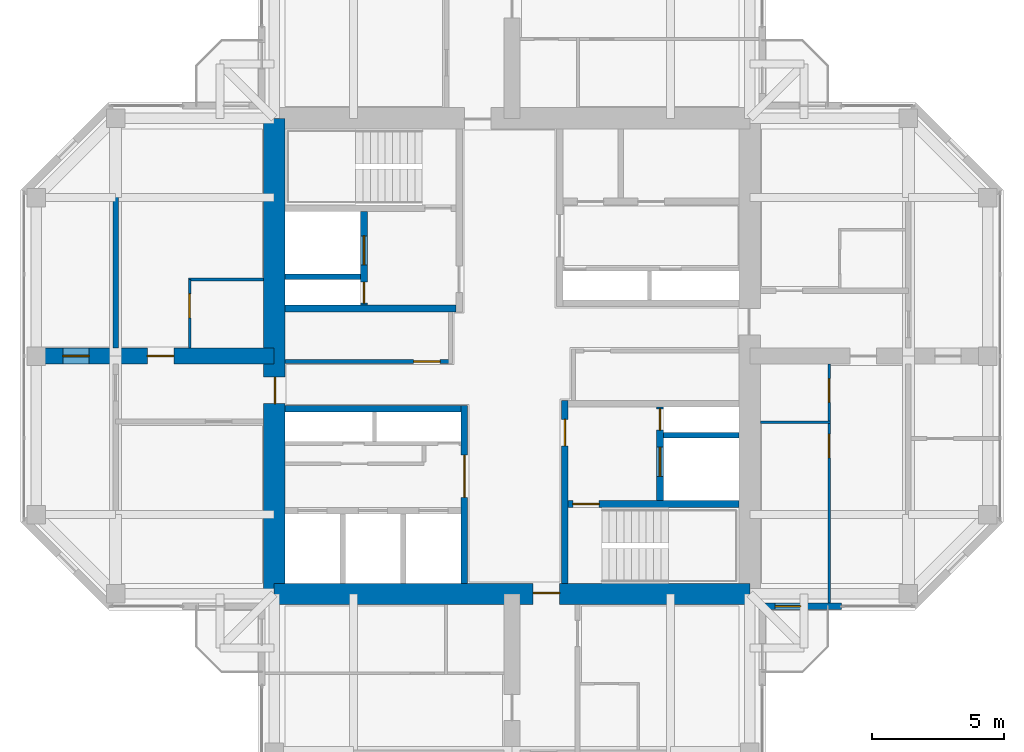
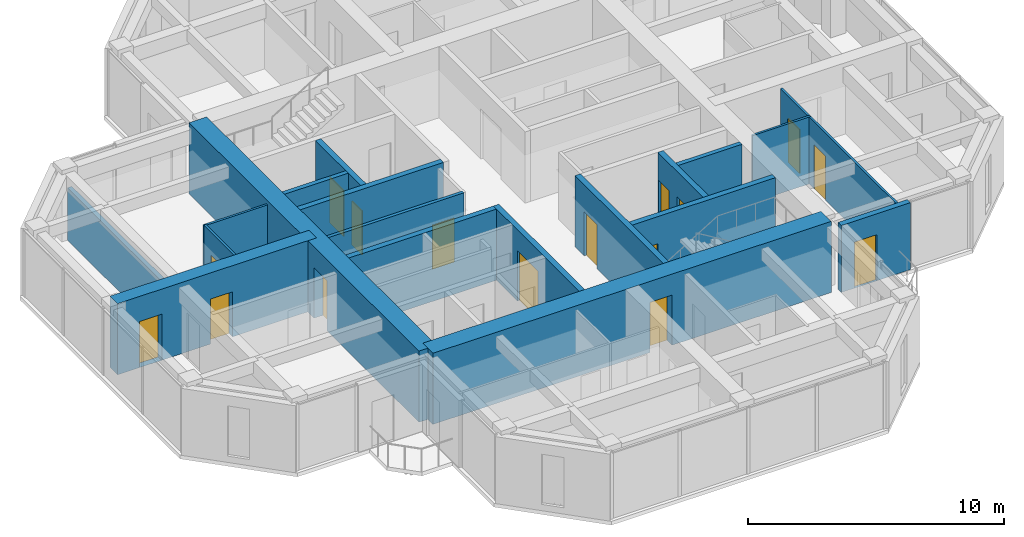
# One storey, part 9 of 13: 19 walls, 16 doors, 16 openings.
"""IFC4 building model written with IfcOpenShell, lengths in metres."""

from ifc_helpers import new_model, si_unit, direction, frame, frame_2d, origin, place, context, subcontext, project, spatial, rectangle, hollow_rectangle, extrude, material, layer, layer_set, constituent, constituent_set, type_object, element, fill, save


model = new_model("IFC4")

# Units and contexts
model_context = context("Model", 3, precision=1e-05, world=origin(), true_north=direction((0.0, 1.0)))
body_context = subcontext(model_context, "Body", "Model", "MODEL_VIEW")
ifc_project = project(units=[si_unit("LENGTHUNIT", "METRE"), si_unit("AREAUNIT", "SQUARE_METRE"), si_unit("VOLUMEUNIT", "CUBIC_METRE"), si_unit("PLANEANGLEUNIT", "RADIAN"), si_unit("MASSUNIT", "GRAM", prefix="KILO")], contexts=[model_context])

# Site, building, storey
site_placement = place(None, origin())
site = spatial("IfcSite", under=ifc_project, at=site_placement, CompositionType="ELEMENT")
building_placement = place(site_placement, origin())
building = spatial("IfcBuilding", under=site, at=building_placement, Name="Torre Cruceta", CompositionType="ELEMENT")
storey_placement = place(building_placement, frame((0.0, 0.0, 284.89990234375)))
storey = spatial("IfcBuildingStorey", under=building, at=storey_placement, Name="L74", CompositionType="ELEMENT", Elevation=284.89990234375)

# Wall
ifc_material_1 = material(Name="Water-resistant plasterboard on steel studs", Category="steel")
ifc_layer_1 = layer(ifc_material_1, 0.10009765625)
ifc_layer_set_1 = layer_set([ifc_layer_1], Name="Water-resistant plasterboard on steel studs")
wall_type_1 = type_object("IfcWallType", Name="BATHROOM WALL 100", PredefinedType="PARTITIONING", material=ifc_layer_set_1)
wall_1_placement = place(storey_placement, frame((9.39990234375, -2.5, 0.0), z_axis=(0.0, 0.0, 1.0), x_axis=(1.0, 0.0, 0.0)))
element("IfcWall", 1, at=wall_1_placement, inside=storey, type_object=wall_type_1, Name="PT4 L74-E-U1RBB", PredefinedType="PARTITIONING", context=body_context, shape_type="SweptSolid", body=[
    extrude(rectangle(XDim=2.650146484375, YDim=0.10009765625, at=frame_2d((1.3251953125, 0.0))), origin(), (0.0, 0.0, 1.0), 3.2001953125),
])

# Wall, openings, doors
wall_2_placement = place(storey_placement, frame((12.0, -9.344970703125, 0.0), z_axis=(0.0, 0.0, 1.0), x_axis=(0.0, 1.0, 0.0)))
wall_2 = element("IfcWall", 2, at=wall_2_placement, inside=storey, type_object=wall_type_1, Name="PT4 L74-E-U1RBS", PredefinedType="PARTITIONING", context=body_context, shape_type="SweptSolid", body=[
    extrude(rectangle(XDim=9.044921875, YDim=0.10009765625, at=frame_2d((4.5224609375, 0.0))), origin(), (0.0, 0.0, 1.0), 3.2001953125),
])
opening_1_placement = place(wall_2_placement, frame((5.4951171875, 0.0, 0.0)))
opening_1 = element("IfcOpeningElement", 3, at=opening_1_placement, cuts=wall_2, Name="Opening D7", PredefinedType="OPENING", context=body_context, shape_type="SweptSolid", body=[
    extrude(rectangle(XDim=0.89990234375, YDim=2.10009765625, at=frame_2d((0.449951171875, 1.050048828125))), frame((0.0, 0.06005859375, 0.0), z_axis=(0.0, -1.0, 0.0), x_axis=(1.0, 0.0, 0.0)), (0.0, 0.0, 1.0), 0.1201171875),
])
opening_2_placement = place(wall_2_placement, frame((7.594970703125, 0.0, 0.0)))
opening_2 = element("IfcOpeningElement", 4, at=opening_2_placement, cuts=wall_2, Name="Opening D7", PredefinedType="OPENING", context=body_context, shape_type="SweptSolid", body=[
    extrude(rectangle(XDim=0.89990234375, YDim=2.10009765625, at=frame_2d((0.449951171875, 1.050048828125))), frame((0.0, 0.06005859375, 0.0), z_axis=(0.0, -1.0, 0.0), x_axis=(1.0, 0.0, 0.0)), (0.0, 0.0, 1.0), 0.1201171875),
])
ifc_material_2 = material(Name="Timber door", Category="wood")
door_type_1 = type_object("IfcDoorType", Name="BATHROOM DOOR 900X2100", OperationType="SINGLE_SWING_LEFT", PredefinedType="DOOR", material=ifc_material_2)
door_1_placement = place(opening_1_placement, origin())
door_1 = element("IfcDoor", 5, at=door_1_placement, inside=storey, type_object=door_type_1, Name="D7 L74-E-U1RBS-D1", OperationType="SINGLE_SWING_RIGHT", OverallHeight=2.10009765625, OverallWidth=0.89990234375, PredefinedType="DOOR", context=body_context, shape_type="SweptSolid", body=[
    extrude(rectangle(XDim=0.89990234375, YDim=2.10009765625, at=frame_2d((0.449951171875, 1.050048828125))), frame((0.0, 0.02490234375, 0.0), z_axis=(0.0, -1.0, 0.0), x_axis=(1.0, 0.0, 0.0)), (0.0, 0.0, 1.0), 0.050048828125),
])
fill(opening_1, door_1)
door_2_placement = place(opening_2_placement, origin())
door_2 = element("IfcDoor", 6, at=door_2_placement, inside=storey, type_object=door_type_1, Name="D7 L74-E-U1RBS-D2", OperationType="SINGLE_SWING_RIGHT", OverallHeight=2.10009765625, OverallWidth=0.89990234375, PredefinedType="DOOR", context=body_context, shape_type="SweptSolid", body=[
    extrude(rectangle(XDim=0.89990234375, YDim=2.10009765625, at=frame_2d((0.449951171875, 1.050048828125))), frame((0.0, 0.02490234375, 0.0), z_axis=(0.0, -1.0, 0.0), x_axis=(1.0, 0.0, 0.0)), (0.0, 0.0, 1.0), 0.050048828125),
])
fill(opening_2, door_2)

# Wall
wall_3_placement = place(storey_placement, frame((-9.39990234375, 2.89990234375, 0.0), z_axis=(0.0, 0.0, 1.0), x_axis=(-1.0, 0.0, 0.0)))
element("IfcWall", 7, at=wall_3_placement, inside=storey, type_object=wall_type_1, Name="PT4 L74-W-U1RBB", PredefinedType="PARTITIONING", context=body_context, shape_type="SweptSolid", body=[
    extrude(rectangle(XDim=2.85009765625, YDim=0.10009765625, at=frame_2d((1.425048828125, 0.0))), origin(), (0.0, 0.0, 1.0), 3.2001953125),
])

# Wall, opening, door
wall_4_placement = place(storey_placement, frame((-12.199951171875, 2.89990234375, 0.0), z_axis=(0.0, 0.0, 1.0), x_axis=(0.0, -1.0, 0.0)))
wall_4 = element("IfcWall", 8, at=wall_4_placement, inside=storey, type_object=wall_type_1, Name="PT4 L74-W-U1RBS", PredefinedType="PARTITIONING", context=body_context, shape_type="SweptSolid", body=[
    extrude(rectangle(XDim=2.599853515625, YDim=0.10009765625, at=frame_2d((1.2998046875, 0.0))), origin(), (0.0, 0.0, 1.0), 3.2001953125),
])
opening_3_placement = place(wall_4_placement, frame((0.550048828125, 0.0, 0.0)))
opening_3 = element("IfcOpeningElement", 9, at=opening_3_placement, cuts=wall_4, Name="Opening D7", PredefinedType="OPENING", context=body_context, shape_type="SweptSolid", body=[
    extrude(rectangle(XDim=0.89990234375, YDim=2.10009765625, at=frame_2d((0.449951171875, 1.050048828125))), frame((0.0, 0.06005859375, 0.0), z_axis=(0.0, -1.0, 0.0), x_axis=(1.0, 0.0, 0.0)), (0.0, 0.0, 1.0), 0.1201171875),
])
door_3_placement = place(opening_3_placement, origin())
door_3 = element("IfcDoor", 10, at=door_3_placement, inside=storey, type_object=door_type_1, Name="D7 L74-W-U1RBS-D1", OperationType="SINGLE_SWING_LEFT", OverallHeight=2.10009765625, OverallWidth=0.89990234375, PredefinedType="DOOR", context=body_context, shape_type="SweptSolid", body=[
    extrude(rectangle(XDim=0.89990234375, YDim=2.10009765625, at=frame_2d((0.449951171875, 1.050048828125))), frame((0.0, 0.02490234375, 0.0), z_axis=(0.0, -1.0, 0.0), x_axis=(1.0, 0.0, 0.0)), (0.0, 0.0, 1.0), 0.050048828125),
])
fill(opening_3, door_3)

# Wall
ifc_material_3 = material(Name="Concrete G60 (fck 60 MPa)", Category="concrete")
ifc_layer_2 = layer(ifc_material_3, 0.25)
ifc_layer_set_2 = layer_set([ifc_layer_2], Name="Concrete G60 (fck 60 MPa)")
wall_type_2 = type_object("IfcWallType", Name="CORE INNER WALL 250 G60", PredefinedType="SHEAR", material=ifc_layer_set_2)
wall_5_placement = place(storey_placement, frame((-2.125, 1.800048828125, 0.0), z_axis=(0.0, 0.0, 1.0), x_axis=(-1.0, 0.0, 0.0)))
element("IfcWall", 11, at=wall_5_placement, inside=storey, type_object=wall_type_2, Name="CW4 L74 NW-CV", PredefinedType="SHEAR", context=body_context, shape_type="SweptSolid", body=[
    extrude(rectangle(XDim=6.47509765625, YDim=0.25, at=frame_2d((3.237548828125, 0.0))), origin(), (0.0, 0.0, 1.0), 3.400146484375),
])

# Wall, openings, doors
wall_6_placement = place(storey_placement, frame((-5.60009765625, 1.925048828125, 0.0), z_axis=(0.0, 0.0, 1.0), x_axis=(0.0, 1.0, 0.0)))
wall_6 = element("IfcWall", 12, at=wall_6_placement, inside=storey, type_object=wall_type_2, Name="CW4 L74 NW-FU", PredefinedType="SHEAR", context=body_context, shape_type="SweptSolid", body=[
    extrude(rectangle(XDim=3.550048828125, YDim=0.25, at=frame_2d((1.77490234375, 0.0))), origin(), (0.0, 0.0, 1.0), 3.400146484375),
])
opening_4_placement = place(wall_6_placement, frame((1.52490234375, 0.0, 0.0)))
opening_4 = element("IfcOpeningElement", 13, at=opening_4_placement, cuts=wall_6, Name="Opening LD1", PredefinedType="OPENING", context=body_context, shape_type="SweptSolid", body=[
    extrude(rectangle(XDim=1.10009765625, YDim=2.199951171875, at=frame_2d((0.550048828125, 1.10009765625))), frame((0.0, 0.135009765625, 0.0), z_axis=(0.0, -1.0, 0.0), x_axis=(1.0, 0.0, 0.0)), (0.0, 0.0, 1.0), 0.27001953125),
])
opening_5_placement = place(wall_6_placement, frame((0.074951171875, 0.0, 0.0)))
opening_5 = element("IfcOpeningElement", 14, at=opening_5_placement, cuts=wall_6, Name="Opening D5", PredefinedType="OPENING", context=body_context, shape_type="SweptSolid", body=[
    extrude(rectangle(XDim=0.800048828125, YDim=2.10009765625, at=frame_2d((0.39990234375, 1.050048828125))), frame((0.0, 0.135009765625, 0.0), z_axis=(0.0, -1.0, 0.0), x_axis=(1.0, 0.0, 0.0)), (0.0, 0.0, 1.0), 0.27001953125),
])
ifc_material_4 = material(Name="Stainless steel 1.4401", Category="steel")
door_type_2 = type_object("IfcDoorType", Name="LIFT LANDING DOOR 1100X2200", OperationType="DOUBLE_DOOR_SLIDING", PredefinedType="DOOR", material=ifc_material_4)
door_4_placement = place(opening_4_placement, origin())
door_4 = element("IfcDoor", 15, at=door_4_placement, inside=storey, type_object=door_type_2, Name="Lift landing door FL1", OperationType="DOUBLE_DOOR_SLIDING", OverallHeight=2.199951171875, OverallWidth=1.10009765625, PredefinedType="DOOR", context=body_context, shape_type="SweptSolid", body=[
    extrude(rectangle(XDim=1.10009765625, YDim=2.199951171875, at=frame_2d((0.550048828125, 1.10009765625))), frame((0.0, 0.02490234375, 0.0), z_axis=(0.0, -1.0, 0.0), x_axis=(1.0, 0.0, 0.0)), (0.0, 0.0, 1.0), 0.050048828125),
])
fill(opening_4, door_4)
ifc_material_5 = material(Name="Steel DX51D", Category="steel")
ifc_constituent_1 = constituent(ifc_material_5, Name="Leaf and frame")
ifc_material_6 = material(Name="Polyester powder coating", Category="paint")
ifc_constituent_2 = constituent(ifc_material_6, Name="Finish")
ifc_constituent_set_1 = constituent_set(constituents=[ifc_constituent_1, ifc_constituent_2], Name="Steel fire door")
door_type_3 = type_object("IfcDoorType", Name="RISER ACCESS DOOR 800X2100", OperationType="SINGLE_SWING_LEFT", PredefinedType="DOOR", material=ifc_constituent_set_1)
door_5_placement = place(opening_5_placement, origin())
door_5 = element("IfcDoor", 16, at=door_5_placement, inside=storey, type_object=door_type_3, Name="D5 L74 NW-RISER", OperationType="SINGLE_SWING_LEFT", OverallHeight=2.10009765625, OverallWidth=0.800048828125, PredefinedType="DOOR", context=body_context, shape_type="SweptSolid", body=[
    extrude(rectangle(XDim=0.800048828125, YDim=2.10009765625, at=frame_2d((0.39990234375, 1.050048828125))), frame((0.0, 0.02490234375, 0.0), z_axis=(0.0, -1.0, 0.0), x_axis=(1.0, 0.0, 0.0)), (0.0, 0.0, 1.0), 0.050048828125),
])
fill(opening_5, door_5)

# Wall, opening, door
wall_7_placement = place(storey_placement, frame((-1.800048828125, -1.875, 0.0), z_axis=(0.0, 0.0, 1.0), x_axis=(0.0, -1.0, 0.0)))
wall_7 = element("IfcWall", 17, at=wall_7_placement, inside=storey, type_object=wall_type_2, Name="CW4 L74 SW-CU", PredefinedType="SHEAR", context=body_context, shape_type="SweptSolid", body=[
    extrude(rectangle(XDim=6.72509765625, YDim=0.25, at=frame_2d((3.362548828125, 0.0))), origin(), (0.0, 0.0, 1.0), 3.400146484375),
])
opening_6_placement = place(wall_7_placement, frame((1.875, 0.0, 0.0)))
opening_6 = element("IfcOpeningElement", 18, at=opening_6_placement, cuts=wall_7, Name="Opening D8", PredefinedType="OPENING", context=body_context, shape_type="SweptSolid", body=[
    extrude(rectangle(XDim=1.60009765625, YDim=2.39990234375, at=frame_2d((0.800048828125, 1.199951171875))), frame((0.0, 0.135009765625, 0.0), z_axis=(0.0, -1.0, 0.0), x_axis=(1.0, 0.0, 0.0)), (0.0, 0.0, 1.0), 0.27001953125),
])
ifc_material_7 = material(Name="Steel DX51D", Category="steel")
ifc_constituent_3 = constituent(ifc_material_7, Name="Leaf and frame")
ifc_material_8 = material(Name="Polyester powder coating", Category="paint")
ifc_constituent_4 = constituent(ifc_material_8, Name="Finish")
ifc_material_9 = material(Name="Fire-resisting glass", Category="glass")
ifc_constituent_5 = constituent(ifc_material_9, Name="Vision panel")
ifc_constituent_set_2 = constituent_set(constituents=[ifc_constituent_3, ifc_constituent_4, ifc_constituent_5], Name="Steel fire door with vision panels")
door_type_4 = type_object("IfcDoorType", Name="LIFT LOBBY DOUBLE DOOR 1600X2400", OperationType="DOUBLE_DOOR_DOUBLE_SWING", PredefinedType="DOOR", material=ifc_constituent_set_2)
door_6_placement = place(opening_6_placement, origin())
door_6 = element("IfcDoor", 19, at=door_6_placement, inside=storey, type_object=door_type_4, Name="D8 L74 SW-LOBBY", OperationType="DOUBLE_DOOR_DOUBLE_SWING", OverallHeight=2.39990234375, OverallWidth=1.60009765625, PredefinedType="DOOR", context=body_context, shape_type="SweptSolid", body=[
    extrude(rectangle(XDim=1.60009765625, YDim=2.39990234375, at=frame_2d((0.800048828125, 1.199951171875))), frame((0.0, 0.02490234375, 0.0), z_axis=(0.0, -1.0, 0.0), x_axis=(1.0, 0.0, 0.0)), (0.0, 0.0, 1.0), 0.050048828125),
])
fill(opening_6, door_6)

# Wall
wall_8_placement = place(storey_placement, frame((-1.925048828125, -2.0, 0.0), z_axis=(0.0, 0.0, 1.0), x_axis=(-1.0, 0.0, 0.0)))
element("IfcWall", 20, at=wall_8_placement, inside=storey, type_object=wall_type_2, Name="CW4 L74 SW-CV", PredefinedType="SHEAR", context=body_context, shape_type="SweptSolid", body=[
    extrude(rectangle(XDim=6.675048828125, YDim=0.25, at=frame_2d((3.33740234375, 0.0))), origin(), (0.0, 0.0, 1.0), 3.400146484375),
])

# Wall, opening, door
wall_9_placement = place(storey_placement, frame((2.0, -1.675048828125, 0.0), z_axis=(0.0, 0.0, 1.0), x_axis=(0.0, -1.0, 0.0)))
wall_9 = element("IfcWall", 21, at=wall_9_placement, inside=storey, type_object=wall_type_2, Name="CW4 L74 SE-CU", PredefinedType="SHEAR", context=body_context, shape_type="SweptSolid", body=[
    extrude(rectangle(XDim=6.925048828125, YDim=0.25, at=frame_2d((3.46240234375, 0.0))), origin(), (0.0, 0.0, 1.0), 3.400146484375),
])
opening_7_placement = place(wall_9_placement, frame((0.72509765625, 0.0, 0.0)))
opening_7 = element("IfcOpeningElement", 22, at=opening_7_placement, cuts=wall_9, Name="Opening D3", PredefinedType="OPENING", context=body_context, shape_type="SweptSolid", body=[
    extrude(rectangle(XDim=1.0, YDim=2.10009765625, at=frame_2d((0.5, 1.050048828125))), frame((0.0, 0.135009765625, 0.0), z_axis=(0.0, -1.0, 0.0), x_axis=(1.0, 0.0, 0.0)), (0.0, 0.0, 1.0), 0.27001953125),
])
ifc_material_10 = material(Name="Steel DX51D", Category="steel")
ifc_constituent_6 = constituent(ifc_material_10, Name="Leaf and frame")
ifc_material_11 = material(Name="Polyester powder coating", Category="paint")
ifc_constituent_7 = constituent(ifc_material_11, Name="Finish")
ifc_constituent_set_3 = constituent_set(constituents=[ifc_constituent_6, ifc_constituent_7], Name="Steel fire door")
door_type_5 = type_object("IfcDoorType", Name="FIRE DOOR 1000X2100", OperationType="SINGLE_SWING_LEFT", PredefinedType="DOOR", material=ifc_constituent_set_3)
door_7_placement = place(opening_7_placement, origin())
door_7 = element("IfcDoor", 23, at=door_7_placement, inside=storey, type_object=door_type_5, Name="D3 L74 SE-LOBBY", OperationType="SINGLE_SWING_LEFT", OverallHeight=2.10009765625, OverallWidth=1.0, PredefinedType="DOOR", context=body_context, shape_type="SweptSolid", body=[
    extrude(rectangle(XDim=1.0, YDim=2.10009765625, at=frame_2d((0.5, 1.050048828125))), frame((0.0, 0.02490234375, 0.0), z_axis=(0.0, -1.0, 0.0), x_axis=(1.0, 0.0, 0.0)), (0.0, 0.0, 1.0), 0.050048828125),
])
fill(opening_7, door_7)

wall_10_placement = place(storey_placement, frame((2.125, -5.60009765625, 0.0), z_axis=(0.0, 0.0, 1.0), x_axis=(1.0, 0.0, 0.0)))
wall_10 = element("IfcWall", 24, at=wall_10_placement, inside=storey, type_object=wall_type_2, Name="CW4 L74 SE-SV", PredefinedType="SHEAR", context=body_context, shape_type="SweptSolid", body=[
    extrude(rectangle(XDim=6.47509765625, YDim=0.25, at=frame_2d((3.237548828125, 0.0))), origin(), (0.0, 0.0, 1.0), 3.400146484375),
])
opening_8_placement = place(wall_10_placement, frame((0.175048828125, 0.0, 0.0)))
opening_8 = element("IfcOpeningElement", 25, at=opening_8_placement, cuts=wall_10, Name="Opening D3", PredefinedType="OPENING", context=body_context, shape_type="SweptSolid", body=[
    extrude(rectangle(XDim=1.0, YDim=2.10009765625, at=frame_2d((0.5, 1.050048828125))), frame((0.0, 0.135009765625, 0.0), z_axis=(0.0, -1.0, 0.0), x_axis=(1.0, 0.0, 0.0)), (0.0, 0.0, 1.0), 0.27001953125),
])
door_8_placement = place(opening_8_placement, frame((1.0, 0.0, 0.0), z_axis=(0.0, 0.0, 1.0), x_axis=(-1.0, 0.0, 0.0)))
door_8 = element("IfcDoor", 26, at=door_8_placement, inside=storey, type_object=door_type_5, Name="D3 L74 SE-STAIR", OperationType="SINGLE_SWING_RIGHT", OverallHeight=2.10009765625, OverallWidth=1.0, PredefinedType="DOOR", context=body_context, shape_type="SweptSolid", body=[
    extrude(rectangle(XDim=1.0, YDim=2.10009765625, at=frame_2d((0.5, 1.050048828125))), frame((0.0, 0.025146484375, 0.0), z_axis=(0.0, -1.0, 0.0), x_axis=(1.0, 0.0, 0.0)), (0.0, 0.0, 1.0), 0.050048828125),
])
fill(opening_8, door_8)

# Wall, openings, doors
wall_11_placement = place(storey_placement, frame((5.60009765625, -1.925048828125, 0.0), z_axis=(0.0, 0.0, 1.0), x_axis=(0.0, -1.0, 0.0)))
wall_11 = element("IfcWall", 27, at=wall_11_placement, inside=storey, type_object=wall_type_2, Name="CW4 L74 SE-FU", PredefinedType="SHEAR", context=body_context, shape_type="SweptSolid", body=[
    extrude(rectangle(XDim=3.550048828125, YDim=0.25, at=frame_2d((1.77490234375, 0.0))), origin(), (0.0, 0.0, 1.0), 3.400146484375),
])
opening_9_placement = place(wall_11_placement, frame((1.52490234375, 0.0, 0.0)))
opening_9 = element("IfcOpeningElement", 28, at=opening_9_placement, cuts=wall_11, Name="Opening LD1", PredefinedType="OPENING", context=body_context, shape_type="SweptSolid", body=[
    extrude(rectangle(XDim=1.10009765625, YDim=2.199951171875, at=frame_2d((0.550048828125, 1.10009765625))), frame((0.0, 0.135009765625, 0.0), z_axis=(0.0, -1.0, 0.0), x_axis=(1.0, 0.0, 0.0)), (0.0, 0.0, 1.0), 0.27001953125),
])
opening_10_placement = place(wall_11_placement, frame((0.074951171875, 0.0, 0.0)))
opening_10 = element("IfcOpeningElement", 29, at=opening_10_placement, cuts=wall_11, Name="Opening D5", PredefinedType="OPENING", context=body_context, shape_type="SweptSolid", body=[
    extrude(rectangle(XDim=0.800048828125, YDim=2.10009765625, at=frame_2d((0.39990234375, 1.050048828125))), frame((0.0, 0.135009765625, 0.0), z_axis=(0.0, -1.0, 0.0), x_axis=(1.0, 0.0, 0.0)), (0.0, 0.0, 1.0), 0.27001953125),
])
door_9_placement = place(opening_9_placement, origin())
door_9 = element("IfcDoor", 30, at=door_9_placement, inside=storey, type_object=door_type_2, Name="Lift landing door FL2", OperationType="DOUBLE_DOOR_SLIDING", OverallHeight=2.199951171875, OverallWidth=1.10009765625, PredefinedType="DOOR", context=body_context, shape_type="SweptSolid", body=[
    extrude(rectangle(XDim=1.10009765625, YDim=2.199951171875, at=frame_2d((0.550048828125, 1.10009765625))), frame((0.0, 0.02490234375, 0.0), z_axis=(0.0, -1.0, 0.0), x_axis=(1.0, 0.0, 0.0)), (0.0, 0.0, 1.0), 0.050048828125),
])
fill(opening_9, door_9)
door_10_placement = place(opening_10_placement, origin())
door_10 = element("IfcDoor", 31, at=door_10_placement, inside=storey, type_object=door_type_3, Name="D5 L74 SE-RISER", OperationType="SINGLE_SWING_LEFT", OverallHeight=2.10009765625, OverallWidth=0.800048828125, PredefinedType="DOOR", context=body_context, shape_type="SweptSolid", body=[
    extrude(rectangle(XDim=0.800048828125, YDim=2.10009765625, at=frame_2d((0.39990234375, 1.050048828125))), frame((0.0, 0.02490234375, 0.0), z_axis=(0.0, -1.0, 0.0), x_axis=(1.0, 0.0, 0.0)), (0.0, 0.0, 1.0), 0.050048828125),
])
fill(opening_10, door_10)

# Wall, opening, door
ifc_material_12 = material(Name="Concrete G60 (fck 60 MPa)", Category="concrete")
ifc_layer_3 = layer(ifc_material_12, 0.800048828125)
ifc_layer_set_3 = layer_set([ifc_layer_3], Name="Concrete G60 (fck 60 MPa)")
wall_type_3 = type_object("IfcWallType", Name="CORE WALL 800 G60", PredefinedType="SHEAR", material=ifc_layer_set_3)
wall_12_placement = place(storey_placement, frame((-9.0, -9.0, 0.0), z_axis=(0.0, 0.0, 1.0), x_axis=(1.0, 0.0, 0.0)))
wall_12 = element("IfcWall", 32, at=wall_12_placement, inside=storey, type_object=wall_type_3, Name="CW3 L74 CW-S", PredefinedType="SHEAR", context=body_context, shape_type="SweptSolid", body=[
    extrude(rectangle(XDim=18.0, YDim=0.800048828125, at=frame_2d((9.0, 0.0))), origin(), (0.0, 0.0, 1.0), 3.400146484375),
])
opening_11_placement = place(wall_12_placement, frame((9.800048828125, 0.0, 0.0)))
opening_11 = element("IfcOpeningElement", 33, at=opening_11_placement, cuts=wall_12, Name="Opening D4", PredefinedType="OPENING", context=body_context, shape_type="SweptSolid", body=[
    extrude(rectangle(XDim=1.0, YDim=2.39990234375, at=frame_2d((0.5, 1.199951171875))), frame((0.0, 0.409912109375, 0.0), z_axis=(0.0, -1.0, 0.0), x_axis=(1.0, 0.0, 0.0)), (0.0, 0.0, 1.0), 0.820068359375),
])
ifc_material_13 = material(Name="Steel DX51D", Category="steel")
ifc_constituent_8 = constituent(ifc_material_13, Name="Leaf and frame")
ifc_material_14 = material(Name="Polyester powder coating", Category="paint")
ifc_constituent_9 = constituent(ifc_material_14, Name="Finish")
ifc_constituent_set_4 = constituent_set(constituents=[ifc_constituent_8, ifc_constituent_9], Name="Steel fire door")
door_type_6 = type_object("IfcDoorType", Name="CORE ARM DOOR 1000X2400", OperationType="SINGLE_SWING_RIGHT", PredefinedType="DOOR", material=ifc_constituent_set_4)
door_11_placement = place(opening_11_placement, origin())
door_11 = element("IfcDoor", 34, at=door_11_placement, inside=storey, type_object=door_type_6, Name="D4 L74 CW-S", OperationType="SINGLE_SWING_RIGHT", OverallHeight=2.39990234375, OverallWidth=1.0, PredefinedType="DOOR", context=body_context, shape_type="SweptSolid", body=[
    extrude(rectangle(XDim=1.0, YDim=2.39990234375, at=frame_2d((0.5, 1.199951171875))), frame((0.0, 0.05517578125, 0.0), z_axis=(0.0, -1.0, 0.0), x_axis=(1.0, 0.0, 0.0)), (0.0, 0.0, 1.0), 0.050048828125),
])
fill(opening_11, door_11)

wall_13_placement = place(storey_placement, frame((-9.0, 9.0, 0.0), z_axis=(0.0, 0.0, 1.0), x_axis=(0.0, -1.0, 0.0)))
wall_13 = element("IfcWall", 35, at=wall_13_placement, inside=storey, type_object=wall_type_3, Name="CW3 L74 CW-W", PredefinedType="SHEAR", context=body_context, shape_type="SweptSolid", body=[
    extrude(rectangle(XDim=18.0, YDim=0.800048828125, at=frame_2d((9.0, 0.0))), origin(), (0.0, 0.0, 1.0), 3.400146484375),
])
opening_12_placement = place(wall_13_placement, frame((9.800048828125, 0.0, 0.0)))
opening_12 = element("IfcOpeningElement", 36, at=opening_12_placement, cuts=wall_13, Name="Opening D4", PredefinedType="OPENING", context=body_context, shape_type="SweptSolid", body=[
    extrude(rectangle(XDim=1.0, YDim=2.39990234375, at=frame_2d((0.5, 1.199951171875))), frame((0.0, 0.409912109375, 0.0), z_axis=(0.0, -1.0, 0.0), x_axis=(1.0, 0.0, 0.0)), (0.0, 0.0, 1.0), 0.820068359375),
])
door_12_placement = place(opening_12_placement, origin())
door_12 = element("IfcDoor", 37, at=door_12_placement, inside=storey, type_object=door_type_6, Name="D4 L74 CW-W", OperationType="SINGLE_SWING_RIGHT", OverallHeight=2.39990234375, OverallWidth=1.0, PredefinedType="DOOR", context=body_context, shape_type="SweptSolid", body=[
    extrude(rectangle(XDim=1.0, YDim=2.39990234375, at=frame_2d((0.5, 1.199951171875))), frame((0.0, 0.05517578125, 0.0), z_axis=(0.0, -1.0, 0.0), x_axis=(1.0, 0.0, 0.0)), (0.0, 0.0, 1.0), 0.050048828125),
])
fill(opening_12, door_12)

# Walls
ifc_material_15 = material(Name="Concrete G35 (fck 35 MPa)", Category="concrete")
ifc_layer_4 = layer(ifc_material_15, 0.199951171875)
ifc_layer_set_4 = layer_set([ifc_layer_4], Name="Concrete G35 (fck 35 MPa)")
wall_type_4 = type_object("IfcWallType", Name="LIFT SHAFT WALL 200", PredefinedType="PARTITIONING", material=ifc_layer_set_4)
for number, where, z_axis, x_axis, name in (
    (38, (-5.72509765625, 3.0, 0.0), (0.0, 0.0, 1.0), (-1.0, 0.0, 0.0), "SW1 L74 NW-FR"),
    (39, (5.72509765625, -3.0, 0.0), (0.0, 0.0, 1.0), (1.0, 0.0, 0.0), "SW1 L74 SE-FR"),
):
    element("IfcWall", number, at=place(storey_placement, frame(where, z_axis=z_axis, x_axis=x_axis)), inside=storey, type_object=wall_type_4, Name=name, PredefinedType="PARTITIONING", context=body_context, shape_type="SweptSolid", body=[
        extrude(rectangle(XDim=2.875, YDim=0.199951171875, at=frame_2d((1.4375, 0.0))), origin(), (0.0, 0.0, 1.0), 3.400146484375),
    ])

# Wall, opening, door
ifc_material_16 = material(Name="Plasterboard on steel studs", Category="steel")
ifc_layer_5 = layer(ifc_material_16, 0.14990234375)
ifc_layer_set_5 = layer_set([ifc_layer_5], Name="Plasterboard on steel studs")
wall_type_5 = type_object("IfcWallType", Name="PARTITION 150", PredefinedType="PARTITIONING", material=ifc_layer_set_5)
wall_14_placement = place(storey_placement, frame((-2.324951171875, -0.199951171875, 0.0), z_axis=(0.0, 0.0, 1.0), x_axis=(-1.0, 0.0, 0.0)))
wall_14 = element("IfcWall", 40, at=wall_14_placement, inside=storey, type_object=wall_type_5, Name="PT1 L74-CORE-LEGW-N-W1", PredefinedType="PARTITIONING", context=body_context, shape_type="SweptSolid", body=[
    extrude(rectangle(XDim=6.275146484375, YDim=0.14990234375, at=frame_2d((3.1376953125, 0.0))), origin(), (0.0, 0.0, 1.0), 3.2001953125),
])
opening_13_placement = place(wall_14_placement, frame((0.39990234375, 0.0, 0.0)))
opening_13 = element("IfcOpeningElement", 41, at=opening_13_placement, cuts=wall_14, Name="Opening D3", PredefinedType="OPENING", context=body_context, shape_type="SweptSolid", body=[
    extrude(rectangle(XDim=1.0, YDim=2.10009765625, at=frame_2d((0.5, 1.050048828125))), frame((0.0, 0.0849609375, 0.0), z_axis=(0.0, -1.0, 0.0), x_axis=(1.0, 0.0, 0.0)), (0.0, 0.0, 1.0), 0.169921875),
])
door_13_placement = place(opening_13_placement, frame((1.0, 0.0, 0.0), z_axis=(0.0, 0.0, 1.0), x_axis=(-1.0, 0.0, 0.0)))
door_13 = element("IfcDoor", 42, at=door_13_placement, inside=storey, type_object=door_type_5, Name="D3 L74-CORE-LEGW-N-W1-D1", OperationType="SINGLE_SWING_RIGHT", OverallHeight=2.10009765625, OverallWidth=1.0, PredefinedType="DOOR", context=body_context, shape_type="SweptSolid", body=[
    extrude(rectangle(XDim=1.0, YDim=2.10009765625, at=frame_2d((0.5, 1.050048828125))), frame((0.0, 0.025146484375, 0.0), z_axis=(0.0, -1.0, 0.0), x_axis=(1.0, 0.0, 0.0)), (0.0, 0.0, 1.0), 0.050048828125),
])
fill(opening_13, door_13)

# Wall, openings, doors
ifc_material_17 = material(Name="Concrete G60 (fck 60 MPa)", Category="concrete")
ifc_layer_6 = layer(ifc_material_17, 0.60009765625)
ifc_layer_set_6 = layer_set([ifc_layer_6], Name="Concrete G60 (fck 60 MPa)")
wall_type_6 = type_object("IfcWallType", Name="SPINE WALL 600 G60", PredefinedType="SHEAR", material=ifc_layer_set_6)
wall_15_placement = place(storey_placement, frame((-9.0, 0.0, 0.0), z_axis=(0.0, 0.0, 1.0), x_axis=(-1.0, 0.0, 0.0)))
wall_15 = element("IfcWall", 43, at=wall_15_placement, inside=storey, type_object=wall_type_6, Name="SW5 spine wall L74 W", PredefinedType="SHEAR", context=body_context, shape_type="SweptSolid", body=[
    extrude(rectangle(XDim=9.0, YDim=0.60009765625, at=frame_2d((4.5, 0.0))), origin(), (0.0, 0.0, 1.0), 3.400146484375),
])
opening_14_placement = place(wall_15_placement, frame((3.800048828125, 0.0, 0.0)))
opening_14 = element("IfcOpeningElement", 44, at=opening_14_placement, cuts=wall_15, Name="Opening D6", PredefinedType="OPENING", context=body_context, shape_type="SweptSolid", body=[
    extrude(rectangle(XDim=1.0, YDim=2.14990234375, at=frame_2d((0.5, 1.074951171875))), frame((0.0, 0.31005859375, 0.0), z_axis=(0.0, -1.0, 0.0), x_axis=(1.0, 0.0, 0.0)), (0.0, 0.0, 1.0), 0.6201171875),
])
opening_15_placement = place(wall_15_placement, frame((7.0, 0.0, 0.0)))
opening_15 = element("IfcOpeningElement", 45, at=opening_15_placement, cuts=wall_15, Name="Opening D14", PredefinedType="OPENING", context=body_context, shape_type="SweptSolid", body=[
    extrude(rectangle(XDim=1.0, YDim=2.199951171875, at=frame_2d((0.5, 1.10009765625))), frame((0.0, 0.31005859375, 0.0), z_axis=(0.0, -1.0, 0.0), x_axis=(1.0, 0.0, 0.0)), (0.0, 0.0, 1.0), 0.6201171875),
])
ifc_material_18 = material(Name="Steel DX51D", Category="steel")
ifc_constituent_10 = constituent(ifc_material_18, Name="Leaf and frame")
ifc_material_19 = material(Name="Polyester powder coating", Category="paint")
ifc_constituent_11 = constituent(ifc_material_19, Name="Finish")
ifc_material_20 = material(Name="Fire-resisting glass", Category="glass")
ifc_constituent_12 = constituent(ifc_material_20, Name="Vision panel")
ifc_constituent_set_5 = constituent_set(constituents=[ifc_constituent_10, ifc_constituent_11, ifc_constituent_12], Name="Steel fire door with vision panel")
door_type_7 = type_object("IfcDoorType", Name="FIRE DOOR VISION PANEL 1000X2200", OperationType="SINGLE_SWING_RIGHT", PredefinedType="DOOR", material=ifc_constituent_set_5)
door_14_placement = place(opening_15_placement, origin())
door_14 = element("IfcDoor", 46, at=door_14_placement, inside=storey, type_object=door_type_7, Name="D14 L74-W-SP2", OperationType="SINGLE_SWING_LEFT", OverallHeight=2.199951171875, OverallWidth=1.0, PredefinedType="DOOR", context=body_context, shape_type="SweptSolid", body=[
    extrude(rectangle(XDim=1.0, YDim=2.199951171875, at=frame_2d((0.5, 1.10009765625))), frame((0.0, 0.02490234375, 0.0), z_axis=(0.0, -1.0, 0.0), x_axis=(1.0, 0.0, 0.0)), (0.0, 0.0, 1.0), 0.050048828125),
])
fill(opening_15, door_14)
ifc_material_21 = material(Name="Timber fire door", Category="wood")
door_type_8 = type_object("IfcDoorType", Name="UNIT ENTRANCE DOOR 1000X2150", OperationType="SINGLE_SWING_LEFT", PredefinedType="DOOR", material=ifc_material_21)
door_15_placement = place(opening_14_placement, frame((1.0, 0.0, 0.0), z_axis=(0.0, 0.0, 1.0), x_axis=(-1.0, 0.0, 0.0)))
door_15 = element("IfcDoor", 47, at=door_15_placement, inside=storey, type_object=door_type_8, Name="D6 L74-W-SP1", OperationType="SINGLE_SWING_RIGHT", OverallHeight=2.14990234375, OverallWidth=1.0, PredefinedType="DOOR", context=body_context, shape_type="SweptSolid", body=[
    extrude(rectangle(XDim=1.0, YDim=2.14990234375, at=frame_2d((0.5, 1.074951171875))), frame((0.0, 0.025146484375, 0.0), z_axis=(0.0, -1.0, 0.0), x_axis=(1.0, 0.0, 0.0)), (0.0, 0.0, 1.0), 0.050048828125),
])
fill(opening_14, door_15)

# Wall
ifc_material_22 = material(Name="Concrete G25 (fck 25 MPa)", Category="concrete")
ifc_layer_7 = layer(ifc_material_22, 0.199951171875)
ifc_layer_set_7 = layer_set([ifc_layer_7], Name="Concrete G25 (fck 25 MPa)")
wall_type_7 = type_object("IfcWallType", Name="UNIT SEPARATING WALL 200", PredefinedType="SOLIDWALL", material=ifc_layer_set_7)
wall_16_placement = place(storey_placement, frame((-15.0, 8.64990234375, 0.0), z_axis=(0.0, 0.0, 1.0), x_axis=(0.0, -1.0, 0.0)))
element("IfcWall", 48, at=wall_16_placement, inside=storey, type_object=wall_type_7, Name="PT2 L74-W-ENDa", PredefinedType="SOLIDWALL", context=body_context, shape_type="SweptSolid", body=[
    extrude(rectangle(XDim=8.349853515625, YDim=0.199951171875, at=frame_2d((4.1748046875, 0.0))), origin(), (0.0, 0.0, 1.0), 2.5),
])

# Wall, opening, door
ifc_material_23 = material(Name="Concrete G30 (fck 30 MPa)", Category="concrete")
ifc_layer_8 = layer(ifc_material_23, 0.25)
ifc_layer_set_8 = layer_set([ifc_layer_8], Name="Concrete G30 (fck 30 MPa)")
wall_type_8 = type_object("IfcWallType", Name="WINTER GARDEN WALL 250", PredefinedType="SOLIDWALL", material=ifc_layer_set_8)
wall_17_placement = place(storey_placement, frame((9.344970703125, -9.469970703125, 0.0), z_axis=(0.0, 0.0, 1.0), x_axis=(1.0, 0.0, 0.0)))
wall_17 = element("IfcWall", 49, at=wall_17_placement, inside=storey, type_object=wall_type_8, Name="EW2 winter garden wall L74 00", PredefinedType="SOLIDWALL", context=body_context, shape_type="SweptSolid", body=[
    extrude(rectangle(XDim=3.125, YDim=0.25, at=frame_2d((1.5625, 0.0))), origin(), (0.0, 0.0, 1.0), 3.2001953125),
])
opening_16_placement = place(wall_17_placement, frame((0.60009765625, 0.0, 0.0)))
opening_16 = element("IfcOpeningElement", 50, at=opening_16_placement, cuts=wall_17, Name="Opening D10", PredefinedType="OPENING", context=body_context, shape_type="SweptSolid", body=[
    extrude(rectangle(XDim=1.0, YDim=2.199951171875, at=frame_2d((0.5, 1.10009765625))), frame((0.0, 0.135009765625, 0.0), z_axis=(0.0, -1.0, 0.0), x_axis=(1.0, 0.0, 0.0)), (0.0, 0.0, 1.0), 0.27001953125),
])
ifc_material_24 = material(Name="Aluminium door frame", Category="aluminium")
ifc_constituent_13 = constituent(ifc_material_24, Name="Frame")
ifc_material_25 = material(Name="Laminated safety glass", Category="glass")
ifc_constituent_14 = constituent(ifc_material_25, Name="Glazing")
ifc_constituent_set_6 = constituent_set(constituents=[ifc_constituent_13, ifc_constituent_14], Name="Aluminium glazed door")
door_type_9 = type_object("IfcDoorType", Name="BALCONY DOOR 1000X2200", OperationType="SINGLE_SWING_RIGHT", PredefinedType="DOOR", material=ifc_constituent_set_6)
door_16_placement = place(opening_16_placement, origin())
door_16 = element("IfcDoor", 51, at=door_16_placement, inside=storey, type_object=door_type_9, Name="D10 balcony door L74 00", OperationType="SINGLE_SWING_LEFT", OverallHeight=2.199951171875, OverallWidth=1.0, PredefinedType="DOOR", context=body_context, shape_type="SweptSolid", body=[
    extrude(hollow_rectangle(XDim=1.0, YDim=2.199951171875, WallThickness=0.06005859375, at=frame_2d((0.5, 1.10009765625))), frame((0.0, 0.02490234375, 0.0), z_axis=(0.0, -1.0, 0.0), x_axis=(1.0, 0.0, 0.0)), (0.0, 0.0, 1.0), 0.050048828125),
    extrude(rectangle(XDim=0.87890625, YDim=2.078857421875, at=frame_2d((0.5, 1.10009765625))), frame((0.0, 0.02490234375, 0.0), z_axis=(0.0, -1.0, 0.0), x_axis=(1.0, 0.0, 0.0)), (0.0, 0.0, 1.0), 0.050048828125),
])
fill(opening_16, door_16)

save(model, "model.ifc")
